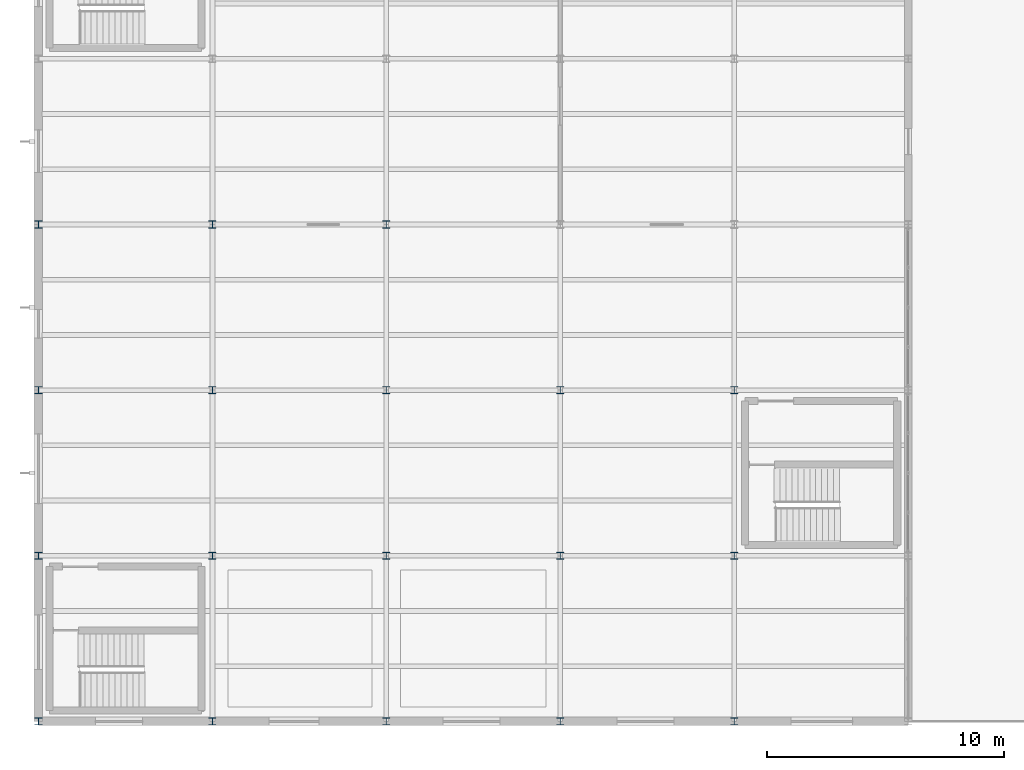
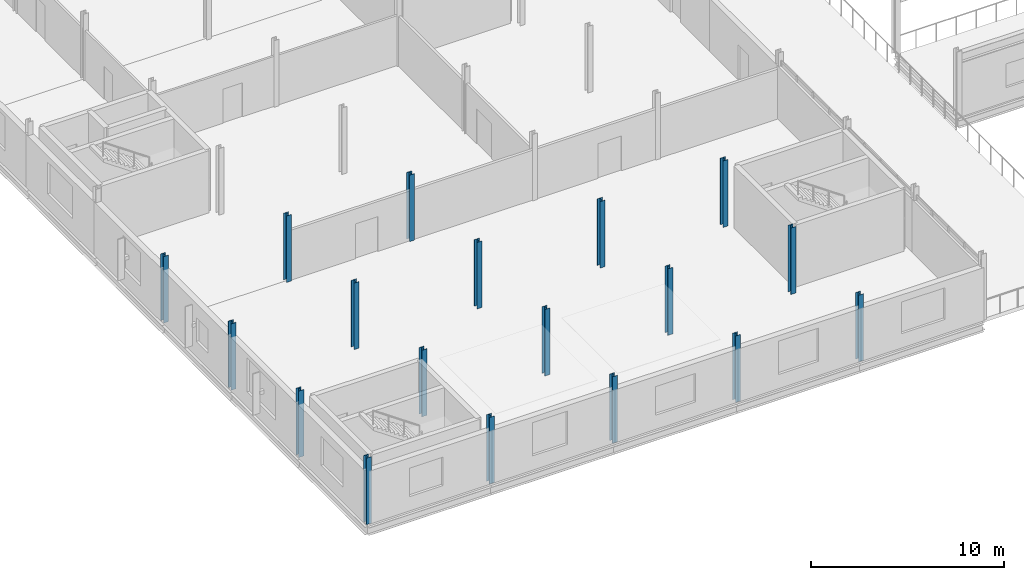
# One storey, part 1 of 39: 18 columns.
"""IFC4 building model written with IfcOpenShell, lengths in metres."""

from ifc_helpers import new_model, si_unit, direction, frame, origin, origin_2d, place, context, subcontext, project, spatial, i_section, extrude, material, material_profile, profile_set, type_object, element, save


model = new_model("IFC4")

# Units and contexts
model_context = context("Model", 3, precision=1e-05, world=origin(), true_north=direction((0.0, 1.0)))
body_context = subcontext(model_context, "Body", "Model", "MODEL_VIEW")
ifc_project = project(units=[si_unit("LENGTHUNIT", "METRE"), si_unit("AREAUNIT", "SQUARE_METRE"), si_unit("VOLUMEUNIT", "CUBIC_METRE"), si_unit("PLANEANGLEUNIT", "RADIAN"), si_unit("MASSUNIT", "GRAM", prefix="KILO")], contexts=[model_context])

# Site, building, storey
site_placement = place(None, origin())
site = spatial("IfcSite", under=ifc_project, at=site_placement, CompositionType="ELEMENT")
building_placement = place(site_placement, origin())
building = spatial("IfcBuilding", under=site, at=building_placement, Name="Kazenagashi Tramway Depot", CompositionType="ELEMENT")
storey_placement = place(building_placement, frame((0.0, 0.0, 11.1)))
storey = spatial("IfcBuildingStorey", under=building, at=storey_placement, Name="L03", CompositionType="ELEMENT", Elevation=11.1)

# Columns
ifc_material = material(Name="Steel SN490B", Category="steel")
ifc_material_profile = material_profile(ifc_material, i_section(OverallWidth=0.3, OverallDepth=0.3, WebThickness=0.01, FlangeThickness=0.015, at=origin_2d()), Name="H-300x300x10x15")
ifc_profile_set = profile_set([ifc_material_profile], Name="Steel SN490B")
column_type = type_object("IfcColumnType", Name="C-05", PredefinedType="COLUMN", material=ifc_profile_set)
for number, where, z_axis, x_axis, name in (
    (1, (0.0, 0.0, 0.0), (0.0, 0.0, 1.0), (1.0, 0.0, 0.0), "Column C-05 COL-0531"),
    (2, (0.0, 7.0, 0.0), (0.0, 0.0, 1.0), (1.0, 0.0, 0.0), "Column C-05 COL-0536"),
    (3, (0.0, 14.0, 0.0), (0.0, 0.0, 1.0), (1.0, 0.0, 0.0), "Column C-05 COL-0541"),
    (4, (0.0, 21.0, 0.0), (0.0, 0.0, 1.0), (1.0, 0.0, 0.0), "Column C-05 COL-0546"),
    (5, (7.35, 0.0, 0.0), (0.0, 0.0, 1.0), (1.0, 0.0, 0.0), "Column C-05 COL-0576"),
    (6, (7.35, 7.0, 0.0), (0.0, 0.0, 1.0), (1.0, 0.0, 0.0), "Column C-05 COL-0580"),
    (7, (7.35, 14.0, 0.0), (0.0, 0.0, 1.0), (1.0, 0.0, 0.0), "Column C-05 COL-0584"),
    (8, (7.35, 21.0, 0.0), (0.0, 0.0, 1.0), (1.0, 0.0, 0.0), "Column C-05 COL-0588"),
    (9, (14.7, 0.0, 0.0), (0.0, 0.0, 1.0), (1.0, 0.0, 0.0), "Column C-05 COL-0618"),
    (10, (14.7, 7.0, 0.0), (0.0, 0.0, 1.0), (1.0, 0.0, 0.0), "Column C-05 COL-0623"),
    (11, (14.7, 14.0, 0.0), (0.0, 0.0, 1.0), (1.0, 0.0, 0.0), "Column C-05 COL-0628"),
    (12, (14.7, 21.0, 0.0), (0.0, 0.0, 1.0), (1.0, 0.0, 0.0), "Column C-05 COL-0633"),
    (13, (22.05, 0.0, 0.0), (0.0, 0.0, 1.0), (1.0, 0.0, 0.0), "Column C-05 COL-0663"),
    (14, (22.05, 7.0, 0.0), (0.0, 0.0, 1.0), (1.0, 0.0, 0.0), "Column C-05 COL-0667"),
    (15, (22.05, 14.0, 0.0), (0.0, 0.0, 1.0), (1.0, 0.0, 0.0), "Column C-05 COL-0671"),
    (16, (29.4, 0.0, 0.0), (0.0, 0.0, 1.0), (1.0, 0.0, 0.0), "Column C-05 COL-0705"),
    (17, (29.4, 7.0, 0.0), (0.0, 0.0, 1.0), (1.0, 0.0, 0.0), "Column C-05 COL-0710"),
    (18, (29.4, 14.0, 0.0), (0.0, 0.0, 1.0), (1.0, 0.0, 0.0), "Column C-05 COL-0715"),
):
    element("IfcColumn", number, at=place(storey_placement, frame(where, z_axis=z_axis, x_axis=x_axis)), inside=storey, type_object=column_type, Name=name, PredefinedType="COLUMN", context=body_context, shape_type="SweptSolid", body=[
        extrude(i_section(OverallWidth=0.3, OverallDepth=0.3, WebThickness=0.01, FlangeThickness=0.015, at=origin_2d()), origin(), (0.0, 0.0, 1.0), 4.2),
    ])

save(model, "model.ifc")
